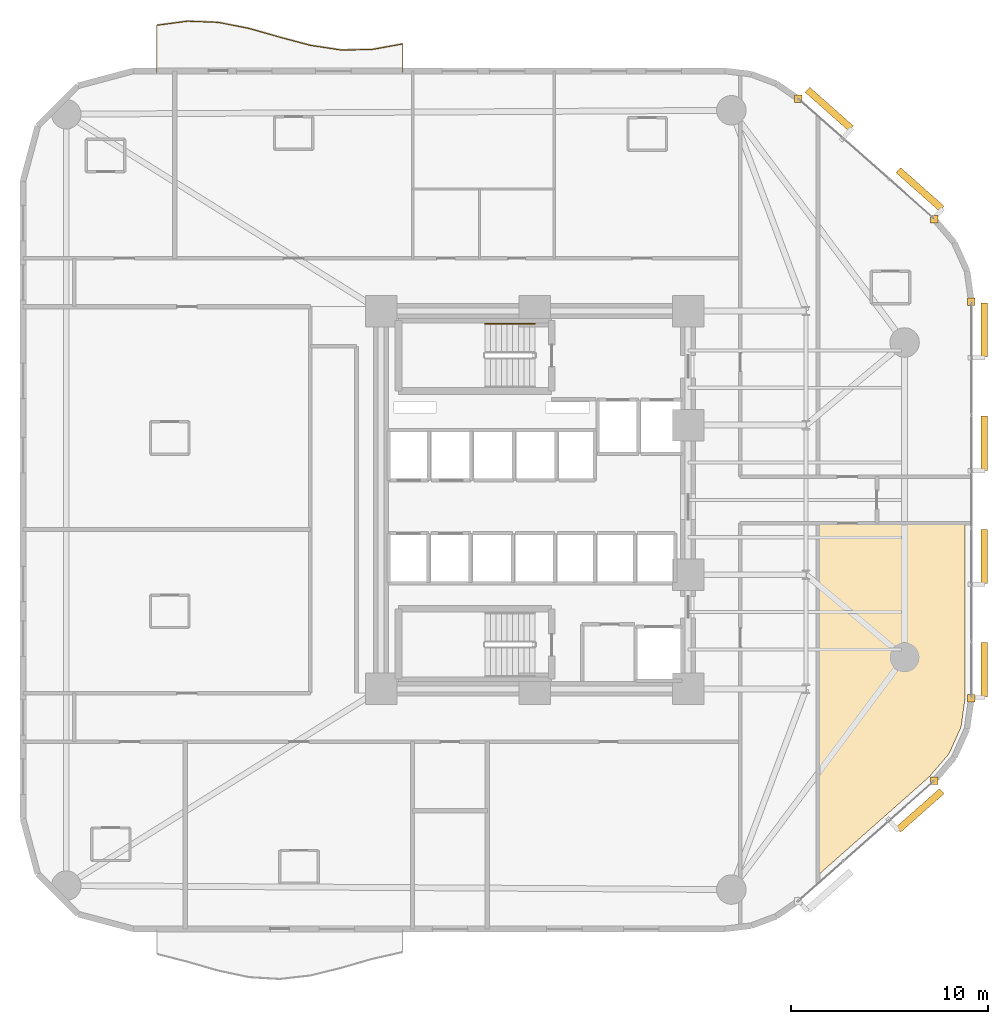
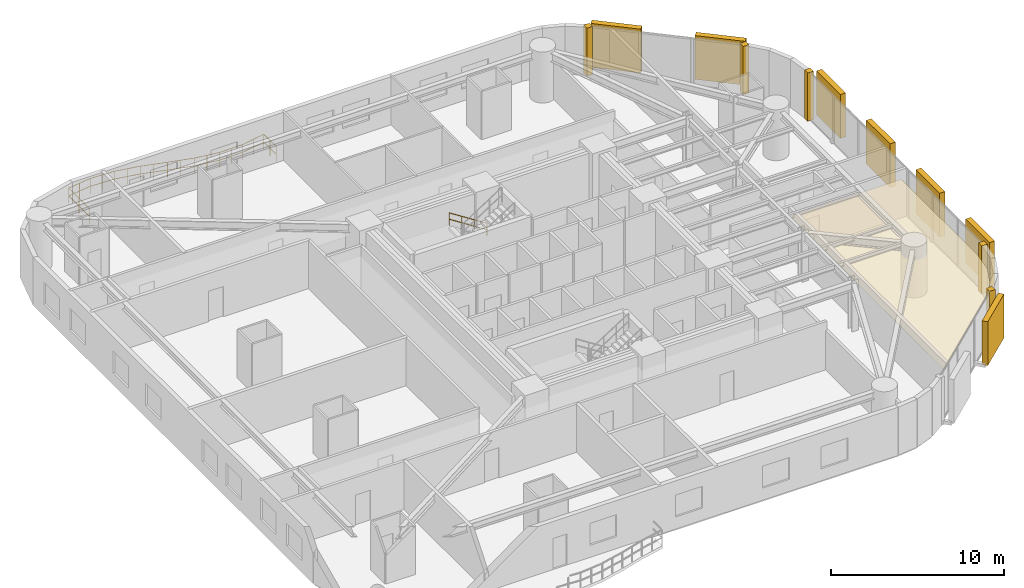
# One storey, part 16 of 16: 7 shading devices, 6 coverings, 2 railings.
"""IFC4 building model written with IfcOpenShell, lengths in metres."""

from ifc_helpers import new_model, si_unit, direction, frame, origin, origin_2d, place, context, subcontext, project, spatial, polyline, rectangle, circle, outline, extrude, material, layer, layer_set, type_object, element, save


model = new_model("IFC4")

# Units and contexts
model_context = context("Model", 3, precision=1e-05, world=origin(), true_north=direction((0.0, 1.0)))
body_context = subcontext(model_context, "Body", "Model", "MODEL_VIEW")
ifc_project = project(units=[si_unit("LENGTHUNIT", "METRE"), si_unit("AREAUNIT", "SQUARE_METRE"), si_unit("VOLUMEUNIT", "CUBIC_METRE"), si_unit("PLANEANGLEUNIT", "RADIAN"), si_unit("MASSUNIT", "GRAM", prefix="KILO")], contexts=[model_context])

# Site, building, storey
site_placement = place(None, origin())
site = spatial("IfcSite", under=ifc_project, at=site_placement, CompositionType="ELEMENT")
building_placement = place(site_placement, origin())
building = spatial("IfcBuilding", under=site, at=building_placement, Name="An Khanh Terracotta Commons", CompositionType="ELEMENT")
storey_placement = place(building_placement, frame((0.0, 0.0, 28.800048828125)))
storey = spatial("IfcBuildingStorey", under=building, at=storey_placement, Name="L07", CompositionType="ELEMENT", Elevation=28.800048828125)

# Coverings
ifc_material_1 = material(Name="Perforated Mineral-Fibre Acoustic Tile")
ifc_layer_1 = layer(ifc_material_1, 0.02001953125, Name="Perforated Mineral-Fibre Acoustic Tile")
ifc_layer_set_1 = layer_set([ifc_layer_1], Name="Perforated Mineral-Fibre Acoustic Tile")
covering_type_1 = type_object("IfcCoveringType", Name="CEIL-ACOUSTIC-18", PredefinedType="CEILING", material=ifc_layer_set_1)
covering_placement = place(storey_placement, frame((0.0, 0.0, 2.64990234375)))
element("IfcCovering", 1, at=covering_placement, inside=storey, type_object=covering_type_1, Name="L07 Riverfront Reading Hall Ceiling", PredefinedType="CEILING", context=body_context, shape_type="SweptSolid", body=[
    extrude(outline(polyline([(51.280029296875, 13.946044921875), (51.069091796875, 12.452880859375), (50.458984375, 11.10107421875), (49.48095703125, 9.952880859375), (43.800048828125, 4.927978515625), (43.800048828125, 22.820068359375), (46.800048828125, 22.820068359375), (51.280029296875, 22.820068359375), (51.280029296875, 13.946044921875)])), origin(), (0.0, 0.0, 1.0), 0.02001953125),
])
ifc_material_2 = material(Name="Fired Terracotta Rainscreen Cladding", Category="masonry")
ifc_layer_2 = layer(ifc_material_2, 0.080078125, Name="Fired Terracotta Rainscreen Cladding")
ifc_layer_set_2 = layer_set([ifc_layer_2], Name="Fired Terracotta Rainscreen Cladding")
covering_type_2 = type_object("IfcCoveringType", Name="COV-JAMB-TERRA", PredefinedType="CLADDING", material=ifc_layer_set_2)
for number, where, z_axis, x_axis, name in (
    (2, (49.7099609375, 9.72802734375, 0.0), (0.0, 0.0, 1.0), (1.0, 0.0, 0.0), "L07 CW-02 Curtain-Wall Jamb Closure JB"),
    (3, (51.60009765625, 13.923095703125, 0.0), (0.0, 0.0, 1.0), (1.0, 0.0, 0.0), "L07 CW-02 Curtain-Wall Jamb Closure JA"),
    (4, (51.60009765625, 34.076904296875, 0.0), (0.0, 0.0, 1.0), (1.0, 0.0, 0.0), "L07 CW-02 Curtain-Wall Jamb Closure JB"),
    (5, (49.7099609375, 38.27197265625, 0.0), (0.0, 0.0, 1.0), (1.0, 0.0, 0.0), "L07 CW-02 Curtain-Wall Jamb Closure JA"),
    (6, (42.7890625, 44.39404296875, 0.0), (0.0, 0.0, 1.0), (1.0, 0.0, 0.0), "L07 CW-02 Curtain-Wall Jamb Closure JB"),
):
    element("IfcCovering", number, at=place(storey_placement, frame(where, z_axis=z_axis, x_axis=x_axis)), inside=storey, type_object=covering_type_2, Name=name, PredefinedType="CLADDING", context=body_context, shape_type="SweptSolid", body=[
        extrude(rectangle(XDim=0.3798828125, YDim=0.3798828125, at=origin_2d()), origin(), (0.0, 0.0, 1.0), 3.39990234375),
    ])

# Railings
ifc_material_3 = material(Name="Brushed Stainless Steel 316", Category="steel")
railing_type_1 = type_object("IfcRailingType", Name="RAIL-BALUSTRADE-1100", PredefinedType="BALUSTRADE", material=ifc_material_3)
railing_1_placement = place(storey_placement, frame((22.699951171875, 45.739990234375, 0.0)))
element("IfcRailing", 7, at=railing_1_placement, inside=storey, type_object=railing_type_1, Name="L07 N Wave Balcony Guard Balustrade", PredefinedType="BALUSTRADE", context=body_context, shape_type="SweptSolid", body=[
    extrude(circle(Radius=0.02392578125, at=origin_2d()), frame((0.0, 0.0, 1.076171875), z_axis=(0.0, 1.0, 0.0), x_axis=(-1.0, 0.0, 0.0)), (0.0, 0.0, 1.0), 1.43310546875),
    extrude(circle(Radius=0.02392578125, at=origin_2d()), frame((0.0, 0.0, 0.52587890625), z_axis=(0.0, 1.0, 0.0), x_axis=(-1.0, 0.0, 0.0)), (0.0, 0.0, 1.0), 1.43310546875),
    extrude(circle(Radius=0.02392578125, at=origin_2d()), frame((0.0, 1.43310546875, 1.076171875), z_axis=(-0.983977933871, -0.1782902848, 0.0), x_axis=(0.1782902848, -0.983977933871, 0.0)), (0.0, 0.0, 1.0), 1.58837890625),
    extrude(circle(Radius=0.02392578125, at=origin_2d()), frame((0.0, 1.43310546875, 0.52587890625), z_axis=(-0.983977933871, -0.1782902848, 0.0), x_axis=(0.1782902848, -0.983977933871, 0.0)), (0.0, 0.0, 1.0), 1.58837890625),
    extrude(circle(Radius=0.02392578125, at=origin_2d()), frame((-1.56298828125, 1.14990234375, 1.076171875), z_axis=(-0.999841296012, -0.017815240348, 0.0), x_axis=(0.017815240348, -0.999841296012, 0.0)), (0.0, 0.0, 1.0), 1.562255859375),
    extrude(circle(Radius=0.02392578125, at=origin_2d()), frame((-1.56298828125, 1.14990234375, 0.52587890625), z_axis=(-0.999841296012, -0.017815240348, 0.0), x_axis=(0.017815240348, -0.999841296012, 0.0)), (0.0, 0.0, 1.0), 1.562255859375),
    extrude(circle(Radius=0.02392578125, at=origin_2d()), frame((-3.125, 1.1220703125, 1.076171875), z_axis=(-0.988600856151, 0.150560111644, 0.0), x_axis=(-0.150560111644, -0.988600856151, 0.0)), (0.0, 0.0, 1.0), 1.5810546875),
    extrude(circle(Radius=0.02392578125, at=origin_2d()), frame((-3.125, 1.1220703125, 0.52587890625), z_axis=(-0.988600856151, 0.150560111644, 0.0), x_axis=(-0.150560111644, -0.988600856151, 0.0)), (0.0, 0.0, 1.0), 1.5810546875),
    extrude(circle(Radius=0.02392578125, at=origin_2d()), frame((-4.68798828125, 1.360107421875, 1.076171875), z_axis=(-0.966315109969, 0.257361823599, 0.0), x_axis=(-0.257361823599, -0.966315109969, 0.0)), (0.0, 0.0, 1.0), 1.616455078125),
    extrude(circle(Radius=0.02392578125, at=origin_2d()), frame((-4.68798828125, 1.360107421875, 0.52587890625), z_axis=(-0.966315109969, 0.257361823599, 0.0), x_axis=(-0.257361823599, -0.966315109969, 0.0)), (0.0, 0.0, 1.0), 1.616455078125),
    extrude(circle(Radius=0.02392578125, at=origin_2d()), frame((-6.25, 1.776123046875, 1.076171875), z_axis=(-0.961964976531, 0.273172809643, 0.0), x_axis=(-0.273172809643, -0.961964976531, 0.0)), (0.0, 0.0, 1.0), 1.624755859375),
    extrude(circle(Radius=0.02392578125, at=origin_2d()), frame((-6.25, 1.776123046875, 0.52587890625), z_axis=(-0.961964976531, 0.273172809643, 0.0), x_axis=(-0.273172809643, -0.961964976531, 0.0)), (0.0, 0.0, 1.0), 1.624755859375),
    extrude(circle(Radius=0.02392578125, at=origin_2d()), frame((-7.81298828125, 2.219970703125, 1.076171875), z_axis=(-0.981096253016, 0.193520392514, 0.0), x_axis=(-0.193520392514, -0.981096253016, 0.0)), (0.0, 0.0, 1.0), 1.592041015625),
    extrude(circle(Radius=0.02392578125, at=origin_2d()), frame((-7.81298828125, 2.219970703125, 0.52587890625), z_axis=(-0.981096253016, 0.193520392514, 0.0), x_axis=(-0.193520392514, -0.981096253016, 0.0)), (0.0, 0.0, 1.0), 1.592041015625),
    extrude(circle(Radius=0.02392578125, at=origin_2d()), frame((-9.375, 2.528076171875, 1.076171875), z_axis=(-0.999238408078, 0.039020556392, 0.0), x_axis=(-0.039020556392, -0.999238408078, 0.0)), (0.0, 0.0, 1.0), 1.564208984375),
    extrude(circle(Radius=0.02392578125, at=origin_2d()), frame((-9.375, 2.528076171875, 0.52587890625), z_axis=(-0.999238408078, 0.039020556392, 0.0), x_axis=(-0.039020556392, -0.999238408078, 0.0)), (0.0, 0.0, 1.0), 1.564208984375),
    extrude(circle(Radius=0.02392578125, at=origin_2d()), frame((-10.93798828125, 2.589111328125, 1.076171875), z_axis=(-0.991168268142, -0.13261019655, 0.0), x_axis=(0.13261019655, -0.991168268142, 0.0)), (0.0, 0.0, 1.0), 1.575927734375),
    extrude(circle(Radius=0.02392578125, at=origin_2d()), frame((-10.93798828125, 2.589111328125, 0.52587890625), z_axis=(-0.991168268142, -0.13261019655, 0.0), x_axis=(0.13261019655, -0.991168268142, 0.0)), (0.0, 0.0, 1.0), 1.575927734375),
    extrude(circle(Radius=0.02392578125, at=origin_2d()), frame((-12.5, 2.380126953125, 1.076171875), z_axis=(0.0, -1.0, 0.0), x_axis=(1.0, 0.0, 0.0)), (0.0, 0.0, 1.0), 2.380126953125),
    extrude(circle(Radius=0.02392578125, at=origin_2d()), frame((-12.5, 2.380126953125, 0.52587890625), z_axis=(0.0, -1.0, 0.0), x_axis=(1.0, 0.0, 0.0)), (0.0, 0.0, 1.0), 2.380126953125),
    extrude(circle(Radius=0.02099609375, at=origin_2d()), origin(), (0.0, 0.0, 1.0), 1.052001953125),
    extrude(circle(Radius=0.02099609375, at=origin_2d()), frame((0.0, 0.716552734375, 0.0)), (0.0, 0.0, 1.0), 1.052001953125),
    extrude(circle(Radius=0.02099609375, at=origin_2d()), frame((0.0, 1.43310546875, 0.0)), (0.0, 0.0, 1.0), 1.052001953125),
    extrude(circle(Radius=0.02099609375, at=origin_2d()), frame((-0.781494140625, 1.29150390625, 0.0)), (0.0, 0.0, 1.0), 1.052001953125),
    extrude(circle(Radius=0.02099609375, at=origin_2d()), frame((-1.56298828125, 1.14990234375, 0.0)), (0.0, 0.0, 1.0), 1.052001953125),
    extrude(circle(Radius=0.02099609375, at=origin_2d()), frame((-2.343994140625, 1.135986328125, 0.0)), (0.0, 0.0, 1.0), 1.052001953125),
    extrude(circle(Radius=0.02099609375, at=origin_2d()), frame((-3.125, 1.1220703125, 0.0)), (0.0, 0.0, 1.0), 1.052001953125),
    extrude(circle(Radius=0.02099609375, at=origin_2d()), frame((-3.906494140625, 1.2412109375, 0.0)), (0.0, 0.0, 1.0), 1.052001953125),
    extrude(circle(Radius=0.02099609375, at=origin_2d()), frame((-4.68798828125, 1.360107421875, 0.0)), (0.0, 0.0, 1.0), 1.052001953125),
    extrude(circle(Radius=0.02099609375, at=origin_2d()), frame((-5.468994140625, 1.568115234375, 0.0)), (0.0, 0.0, 1.0), 1.052001953125),
    extrude(circle(Radius=0.02099609375, at=origin_2d()), frame((-6.25, 1.776123046875, 0.0)), (0.0, 0.0, 1.0), 1.052001953125),
    extrude(circle(Radius=0.02099609375, at=origin_2d()), frame((-7.031494140625, 1.998046875, 0.0)), (0.0, 0.0, 1.0), 1.052001953125),
    extrude(circle(Radius=0.02099609375, at=origin_2d()), frame((-7.81298828125, 2.219970703125, 0.0)), (0.0, 0.0, 1.0), 1.052001953125),
    extrude(circle(Radius=0.02099609375, at=origin_2d()), frame((-8.593994140625, 2.3740234375, 0.0)), (0.0, 0.0, 1.0), 1.052001953125),
    extrude(circle(Radius=0.02099609375, at=origin_2d()), frame((-9.375, 2.528076171875, 0.0)), (0.0, 0.0, 1.0), 1.052001953125),
    extrude(circle(Radius=0.02099609375, at=origin_2d()), frame((-10.156494140625, 2.55859375, 0.0)), (0.0, 0.0, 1.0), 1.052001953125),
    extrude(circle(Radius=0.02099609375, at=origin_2d()), frame((-10.93798828125, 2.589111328125, 0.0)), (0.0, 0.0, 1.0), 1.052001953125),
    extrude(circle(Radius=0.02099609375, at=origin_2d()), frame((-11.718994140625, 2.484619140625, 0.0)), (0.0, 0.0, 1.0), 1.052001953125),
    extrude(circle(Radius=0.02099609375, at=origin_2d()), frame((-12.5, 2.380126953125, 0.0)), (0.0, 0.0, 1.0), 1.052001953125),
    extrude(circle(Radius=0.02099609375, at=origin_2d()), frame((-12.5, 1.18994140625, 0.0)), (0.0, 0.0, 1.0), 1.052001953125),
    extrude(circle(Radius=0.02099609375, at=origin_2d()), frame((-12.5, 0.0, 0.0)), (0.0, 0.0, 1.0), 1.052001953125),
])
railing_type_2 = type_object("IfcRailingType", Name="RAIL-HANDRAIL-900", PredefinedType="HANDRAIL", material=ifc_material_3)
railing_2_placement = place(storey_placement, frame((29.409912109375, 32.949951171875, 0.179931640625)))
element("IfcRailing", 8, at=railing_2_placement, inside=storey, type_object=railing_type_2, Name="L07 ST-01 stair handrail 1", PredefinedType="HANDRAIL", context=body_context, shape_type="SweptSolid", body=[
    extrude(circle(Radius=0.02392578125, at=origin_2d()), frame((0.0, 0.0, 0.8759765625), z_axis=(-0.841162588446, 0.0, 0.540782303519), x_axis=(0.0, -1.0, 0.0)), (0.0, 0.0, 1.0), 2.995849609375),
    extrude(circle(Radius=0.02392578125, at=origin_2d()), frame((0.0, 0.0, 0.42578125), z_axis=(-0.841162588446, 0.0, 0.540782303519), x_axis=(0.0, -1.0, 0.0)), (0.0, 0.0, 1.0), 2.995849609375),
    extrude(circle(Radius=0.02099609375, at=origin_2d()), origin(), (0.0, 0.0, 1.0), 0.851806640625),
    extrude(circle(Radius=0.02099609375, at=origin_2d()), frame((-0.840087890625, 0.0, 0.5400390625)), (0.0, 0.0, 1.0), 0.851806640625),
    extrude(circle(Radius=0.02099609375, at=origin_2d()), frame((-1.679931640625, 0.0, 1.080078125)), (0.0, 0.0, 1.0), 0.851806640625),
    extrude(circle(Radius=0.02099609375, at=origin_2d()), frame((-2.52001953125, 0.0, 1.6201171875)), (0.0, 0.0, 1.0), 0.851806640625),
])

# Shading devices
ifc_material_4 = material(Name="Extruded Fired Terracotta", Category="masonry")
shading_device_type = type_object("IfcShadingDeviceType", Name="Terracotta Baguette Screen Assembly", PredefinedType="USERDEFINED", material=ifc_material_4)
shading_device_placement = place(storey_placement, frame((48.987060546875, 8.220947265625, 0.14990234375), z_axis=(0.0, 0.0, 1.0), x_axis=(0.749019284633, 0.662548195415, 0.0)))
element("IfcShadingDevice", 9, at=shading_device_placement, inside=storey, type_object=shading_device_type, Name="L07 Terracotta Baguette Screen 3", ObjectType="BAGUETTE", PredefinedType="USERDEFINED", context=body_context, shape_type="SweptSolid", body=[
    extrude(rectangle(XDim=2.9599609375, YDim=0.35009765625, at=origin_2d()), origin(), (0.0, 0.0, 1.0), 3.10009765625),
])
for number, where, z_axis, x_axis, name in (
    (10, (52.25, 15.363037109375, 0.14990234375), (0.0, 0.0, 1.0), (0.0, 1.0, 0.0), "L07 Terracotta Baguette Screen 1"),
    (11, (52.25, 21.12109375, 0.14990234375), (0.0, 0.0, 1.0), (0.0, 1.0, 0.0), "L07 Terracotta Baguette Screen 3"),
    (12, (52.25, 26.87890625, 0.14990234375), (0.0, 0.0, 1.0), (0.0, 1.0, 0.0), "L07 Terracotta Baguette Screen 5"),
    (13, (52.25, 32.636962890625, 0.14990234375), (0.0, 0.0, 1.0), (0.0, 1.0, 0.0), "L07 Terracotta Baguette Screen 7"),
):
    element("IfcShadingDevice", number, at=place(storey_placement, frame(where, z_axis=z_axis, x_axis=x_axis)), inside=storey, type_object=shading_device_type, Name=name, ObjectType="BAGUETTE", PredefinedType="USERDEFINED", context=body_context, shape_type="SweptSolid", body=[
        extrude(rectangle(XDim=2.759033203125, YDim=0.35009765625, at=origin_2d()), origin(), (0.0, 0.0, 1.0), 3.10009765625),
    ])
for number, where, z_axis, x_axis, name in (
    (14, (48.987060546875, 39.779052734375, 0.14990234375), (0.0, 0.0, 1.0), (-0.749019284633, 0.662548195415, 0.0), "L07 Terracotta Baguette Screen 1"),
    (15, (44.373046875, 43.861083984375, 0.14990234375), (0.0, 0.0, 1.0), (-0.749019284633, 0.662548195415, 0.0), "L07 Terracotta Baguette Screen 3"),
):
    element("IfcShadingDevice", number, at=place(storey_placement, frame(where, z_axis=z_axis, x_axis=x_axis)), inside=storey, type_object=shading_device_type, Name=name, ObjectType="BAGUETTE", PredefinedType="USERDEFINED", context=body_context, shape_type="SweptSolid", body=[
        extrude(rectangle(XDim=2.9599609375, YDim=0.35009765625, at=origin_2d()), origin(), (0.0, 0.0, 1.0), 3.10009765625),
    ])

save(model, "model.ifc")
